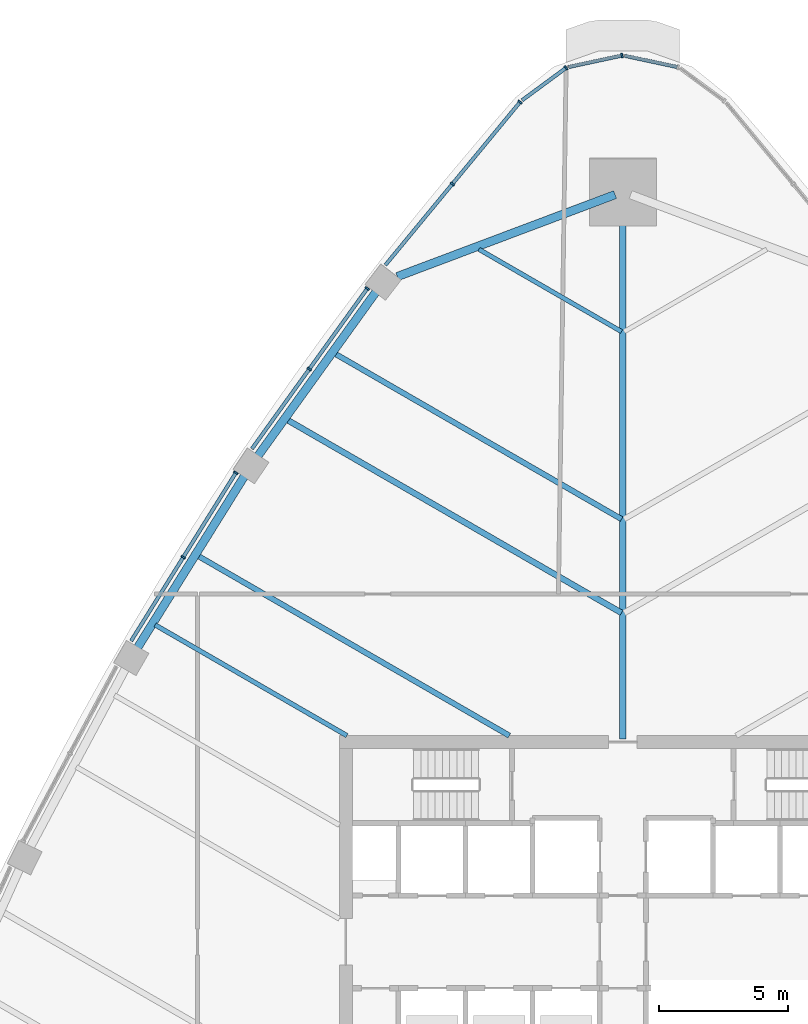
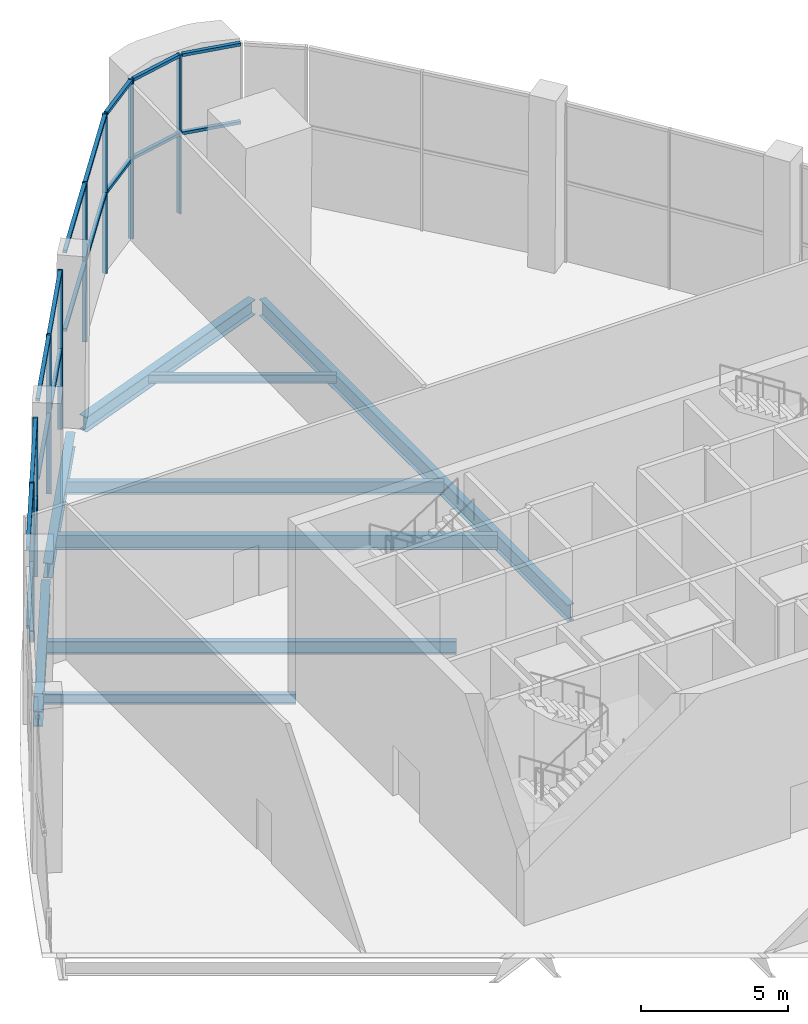
# One storey, part 6 of 15: 26 members, 9 beams, 6 elements without a shape of their own.
"""IFC4 building model written with IfcOpenShell, lengths in metres."""

from ifc_helpers import new_model, si_unit, direction, frame, origin, origin_2d, place, context, subcontext, project, spatial, rectangle, i_section, extrude, material, layer, layer_set, material_profile, profile_set, type_object, element, aggregate, save


model = new_model("IFC4")

# Units and contexts
model_context = context("Model", 3, precision=1e-05, world=origin(), true_north=direction((0.0, 1.0)))
body_context = subcontext(model_context, "Body", "Model", "MODEL_VIEW")
ifc_project = project(units=[si_unit("LENGTHUNIT", "METRE"), si_unit("AREAUNIT", "SQUARE_METRE"), si_unit("VOLUMEUNIT", "CUBIC_METRE"), si_unit("PLANEANGLEUNIT", "RADIAN"), si_unit("MASSUNIT", "GRAM", prefix="KILO")], contexts=[model_context])

# Site, building, storey
site_placement = place(None, origin())
site = spatial("IfcSite", under=ifc_project, at=site_placement, CompositionType="ELEMENT")
building_placement = place(site_placement, origin())
building = spatial("IfcBuilding", under=site, at=building_placement, Name="Sierra Prisma Convention Tower", CompositionType="ELEMENT")
storey_placement = place(building_placement, frame((0.0, 0.0, 118.60009765625)))
storey = spatial("IfcBuildingStorey", under=building, at=storey_placement, Name="L25", CompositionType="ELEMENT", Elevation=118.60009765625)

# Curtain wall, member
ifc_material_1 = material(Name="Aluminium and glass curtain wall", Category="aluminium")
ifc_layer = layer(ifc_material_1, 0.179931640625)
ifc_layer_set = layer_set([ifc_layer], Name="CW-4 Sky lobby double-height curtain wall")
curtain_wall_type = type_object("IfcCurtainWallType", Name="CW-4 Sky lobby double-height curtain wall", PredefinedType="NOTDEFINED", material=ifc_layer_set)
curtain_wall_1_placement = place(storey_placement, origin())
curtain_wall_1 = element("IfcCurtainWall", 1, at=curtain_wall_1_placement, inside=storey, type_object=curtain_wall_type, Name="CW-4 N3 L25", PredefinedType="NOTDEFINED")
ifc_material_2 = material(Name="Aluminium 6063-T6 bronze anodised", Category="aluminium")
ifc_material_profile_1 = material_profile(ifc_material_2, rectangle(XDim=0.179931640625, YDim=0.070068359375, at=origin_2d()), Name="ALU MULLION 70x180")
ifc_profile_set_1 = profile_set([ifc_material_profile_1], Name="Aluminium 6063-T6 bronze anodised")
member_type_1 = type_object("IfcMemberType", Name="CW mullion bronze", PredefinedType="MULLION", material=ifc_profile_set_1)
member_1_placement = place(storey_placement, frame((-0.0341796875, 34.393798828125, 0.0), z_axis=(0.0, 0.0, 1.0), x_axis=(0.210119495621, -0.97767571186, 0.0)))
member_1 = element("IfcMember", 2, at=member_1_placement, type_object=member_type_1, Name="CW-4 mullion N3.1", PredefinedType="MULLION", context=body_context, shape_type="SweptSolid", body=[
    extrude(rectangle(XDim=0.179931640625, YDim=0.070068359375, at=origin_2d()), origin(), (0.0, 0.0, 1.0), 6.599853515625),
])

curtain_wall_2_placement = place(storey_placement, origin())
curtain_wall_2 = element("IfcCurtainWall", 3, at=curtain_wall_2_placement, inside=storey, type_object=curtain_wall_type, Name="CW-4 N4 L25", PredefinedType="NOTDEFINED")
member_2_placement = place(storey_placement, frame((-2.202880859375, 33.912841796875, 0.0), z_axis=(0.0, 0.0, 1.0), x_axis=(0.593251213789, -0.805017389463, 0.0)))
member_2 = element("IfcMember", 4, at=member_2_placement, type_object=member_type_1, Name="CW-4 mullion N4.1", PredefinedType="MULLION", context=body_context, shape_type="SweptSolid", body=[
    extrude(rectangle(XDim=0.179931640625, YDim=0.070068359375, at=origin_2d()), origin(), (0.0, 0.0, 1.0), 6.599853515625),
])

# Curtain wall, members
curtain_wall_3_placement = place(storey_placement, origin())
curtain_wall_3 = element("IfcCurtainWall", 5, at=curtain_wall_3_placement, inside=storey, type_object=curtain_wall_type, Name="CW-4 NW1 L25", PredefinedType="NOTDEFINED")
member_3_placement = place(storey_placement, frame((-3.987548828125, 32.587158203125, 0.0), z_axis=(0.0, 0.0, 1.0), x_axis=(0.770860050907, -0.637004538379, 0.0)))
member_3 = element("IfcMember", 6, at=member_3_placement, type_object=member_type_1, Name="CW-4 mullion NW1.1", PredefinedType="MULLION", context=body_context, shape_type="SweptSolid", body=[
    extrude(rectangle(XDim=0.179931640625, YDim=0.070068359375, at=origin_2d()), origin(), (0.0, 0.0, 1.0), 6.599853515625),
])
member_4_placement = place(storey_placement, frame((-6.6123046875, 29.41064453125, 0.0), z_axis=(0.0, 0.0, 1.0), x_axis=(0.770860050907, -0.637004538379, 0.0)))
member_4 = element("IfcMember", 7, at=member_4_placement, type_object=member_type_1, Name="CW-4 mullion NW1.2", PredefinedType="MULLION", context=body_context, shape_type="SweptSolid", body=[
    extrude(rectangle(XDim=0.179931640625, YDim=0.070068359375, at=origin_2d()), origin(), (0.0, 0.0, 1.0), 6.599853515625),
])

curtain_wall_4_placement = place(storey_placement, origin())
curtain_wall_4 = element("IfcCurtainWall", 8, at=curtain_wall_4_placement, inside=storey, type_object=curtain_wall_type, Name="CW-4 NW2 L25", PredefinedType="NOTDEFINED")
member_5_placement = place(storey_placement, frame((-9.916748046875, 25.35107421875, 0.0), z_axis=(0.0, 0.0, 1.0), x_axis=(0.811662790849, -0.584126282538, 0.0)))
member_5 = element("IfcMember", 9, at=member_5_placement, type_object=member_type_1, Name="CW-4 mullion NW2.1", PredefinedType="MULLION", context=body_context, shape_type="SweptSolid", body=[
    extrude(rectangle(XDim=0.179931640625, YDim=0.070068359375, at=origin_2d()), origin(), (0.0, 0.0, 1.0), 6.599853515625),
])
member_6_placement = place(storey_placement, frame((-12.16455078125, 22.227783203125, 0.0), z_axis=(0.0, 0.0, 1.0), x_axis=(0.811662790849, -0.584126282538, 0.0)))
member_6 = element("IfcMember", 10, at=member_6_placement, type_object=member_type_1, Name="CW-4 mullion NW2.2", PredefinedType="MULLION", context=body_context, shape_type="SweptSolid", body=[
    extrude(rectangle(XDim=0.179931640625, YDim=0.070068359375, at=origin_2d()), origin(), (0.0, 0.0, 1.0), 6.599853515625),
])

curtain_wall_5_placement = place(storey_placement, origin())
curtain_wall_5 = element("IfcCurtainWall", 11, at=curtain_wall_5_placement, inside=storey, type_object=curtain_wall_type, Name="CW-4 NW3 L25", PredefinedType="NOTDEFINED")
member_7_placement = place(storey_placement, frame((-15.014404296875, 18.205078125, 0.0), z_axis=(0.0, 0.0, 1.0), x_axis=(0.848844724577, -0.528642254798, 0.0)))
member_7 = element("IfcMember", 12, at=member_7_placement, type_object=member_type_1, Name="CW-4 mullion NW3.1", PredefinedType="MULLION", context=body_context, shape_type="SweptSolid", body=[
    extrude(rectangle(XDim=0.179931640625, YDim=0.070068359375, at=origin_2d()), origin(), (0.0, 0.0, 1.0), 6.599853515625),
])
member_8_placement = place(storey_placement, frame((-17.057373046875, 14.925048828125, 0.0), z_axis=(0.0, 0.0, 1.0), x_axis=(0.848844724577, -0.528642254798, 0.0)))
member_8 = element("IfcMember", 13, at=member_8_placement, type_object=member_type_1, Name="CW-4 mullion NW3.2", PredefinedType="MULLION", context=body_context, shape_type="SweptSolid", body=[
    extrude(rectangle(XDim=0.179931640625, YDim=0.070068359375, at=origin_2d()), origin(), (0.0, 0.0, 1.0), 6.599853515625),
])

curtain_wall_6_placement = place(storey_placement, origin())
curtain_wall_6 = element("IfcCurtainWall", 14, at=curtain_wall_6_placement, inside=storey, type_object=curtain_wall_type, Name="CW-4 N2 L25", PredefinedType="NOTDEFINED")
ifc_material_3 = material(Name="Aluminium 6063-T6 bronze anodised", Category="aluminium")
ifc_material_profile_2 = material_profile(ifc_material_3, rectangle(XDim=0.139892578125, YDim=0.1201171875, at=origin_2d()), Name="ALU TRANSOM 120x140")
ifc_profile_set_2 = profile_set([ifc_material_profile_2], Name="Aluminium 6063-T6 bronze anodised")
member_type_2 = type_object("IfcMemberType", Name="CW transom bronze", PredefinedType="USERDEFINED", material=ifc_profile_set_2)
member_9_placement = place(storey_placement, frame((2.106201171875, 33.948486328125, 6.539794921875), z_axis=(-0.977697730918, 0.210017015878, 0.0), x_axis=(-0.210017015878, -0.977697730918, 0.0)))
member_9 = element("IfcMember", 15, at=member_9_placement, type_object=member_type_2, Name="CW-4 transom N2.1", ObjectType="TRANSOM", PredefinedType="USERDEFINED", context=body_context, shape_type="SweptSolid", body=[
    extrude(rectangle(XDim=0.139892578125, YDim=0.1201171875, at=origin_2d()), origin(), (0.0, 0.0, 1.0), 2.084228515625),
])
member_10_placement = place(storey_placement, frame((2.106201171875, 33.948486328125, 3.2998046875), z_axis=(-0.977697730918, 0.210017015878, 0.0), x_axis=(-0.210017015878, -0.977697730918, 0.0)))
member_10 = element("IfcMember", 16, at=member_10_placement, type_object=member_type_2, Name="CW-4 transom N2.1 mid", ObjectType="TRANSOM", PredefinedType="USERDEFINED", context=body_context, shape_type="SweptSolid", body=[
    extrude(rectangle(XDim=0.139892578125, YDim=0.1201171875, at=origin_2d()), origin(), (0.0, 0.0, 1.0), 2.084228515625),
])
aggregate(curtain_wall_6, [member_9, member_10])

# Member
member_11_placement = place(storey_placement, frame((-0.068359375, 34.38623046875, 6.539794921875), z_axis=(-0.977697730918, -0.210017015878, 0.0), x_axis=(0.210017015878, -0.977697730918, 0.0)))
member_11 = element("IfcMember", 17, at=member_11_placement, type_object=member_type_2, Name="CW-4 transom N3.1", ObjectType="TRANSOM", PredefinedType="USERDEFINED", context=body_context, shape_type="SweptSolid", body=[
    extrude(rectangle(XDim=0.139892578125, YDim=0.1201171875, at=origin_2d()), origin(), (0.0, 0.0, 1.0), 2.084228515625),
])

member_12_placement = place(storey_placement, frame((-0.068359375, 34.38623046875, 3.2998046875), z_axis=(-0.977697730918, -0.210017015878, 0.0), x_axis=(0.210017015878, -0.977697730918, 0.0)))
member_12 = element("IfcMember", 18, at=member_12_placement, type_object=member_type_2, Name="CW-4 transom N3.1 mid", ObjectType="TRANSOM", PredefinedType="USERDEFINED", context=body_context, shape_type="SweptSolid", body=[
    extrude(rectangle(XDim=0.139892578125, YDim=0.1201171875, at=origin_2d()), origin(), (0.0, 0.0, 1.0), 2.084228515625),
])

aggregate(curtain_wall_1, [member_1, member_11, member_12])

member_13_placement = place(storey_placement, frame((-2.23095703125, 33.89208984375, 6.539794921875), z_axis=(-0.805073501982, -0.593175063878, 0.0), x_axis=(0.593175063878, -0.805073501982, 0.0)))
member_13 = element("IfcMember", 19, at=member_13_placement, type_object=member_type_2, Name="CW-4 transom N4.1", ObjectType="TRANSOM", PredefinedType="USERDEFINED", context=body_context, shape_type="SweptSolid", body=[
    extrude(rectangle(XDim=0.139892578125, YDim=0.1201171875, at=origin_2d()), origin(), (0.0, 0.0, 1.0), 2.084228515625),
])

member_14_placement = place(storey_placement, frame((-2.23095703125, 33.89208984375, 3.2998046875), z_axis=(-0.805073501982, -0.593175063878, 0.0), x_axis=(0.593175063878, -0.805073501982, 0.0)))
member_14 = element("IfcMember", 20, at=member_14_placement, type_object=member_type_2, Name="CW-4 transom N4.1 mid", ObjectType="TRANSOM", PredefinedType="USERDEFINED", context=body_context, shape_type="SweptSolid", body=[
    extrude(rectangle(XDim=0.139892578125, YDim=0.1201171875, at=origin_2d()), origin(), (0.0, 0.0, 1.0), 2.084228515625),
])

aggregate(curtain_wall_2, [member_2, member_13, member_14])

member_15_placement = place(storey_placement, frame((-4.009765625, 32.56005859375, 6.539794921875), z_axis=(-0.637030967557, -0.770838210245, 0.0), x_axis=(0.770838210245, -0.637030967557, 0.0)))
member_15 = element("IfcMember", 21, at=member_15_placement, type_object=member_type_2, Name="CW-4 transom NW1.1", ObjectType="TRANSOM", PredefinedType="USERDEFINED", context=body_context, shape_type="SweptSolid", body=[
    extrude(rectangle(XDim=0.139892578125, YDim=0.1201171875, at=origin_2d()), origin(), (0.0, 0.0, 1.0), 4.050537109375),
])

member_16_placement = place(storey_placement, frame((-4.009765625, 32.56005859375, 3.2998046875), z_axis=(-0.637030967557, -0.770838210245, 0.0), x_axis=(0.770838210245, -0.637030967557, 0.0)))
member_16 = element("IfcMember", 22, at=member_16_placement, type_object=member_type_2, Name="CW-4 transom NW1.1 mid", ObjectType="TRANSOM", PredefinedType="USERDEFINED", context=body_context, shape_type="SweptSolid", body=[
    extrude(rectangle(XDim=0.139892578125, YDim=0.1201171875, at=origin_2d()), origin(), (0.0, 0.0, 1.0), 4.050537109375),
])

member_17_placement = place(storey_placement, frame((-6.634521484375, 29.3837890625, 6.539794921875), z_axis=(-0.637001371276, -0.77086266805, 0.0), x_axis=(0.77086266805, -0.637001371276, 0.0)))
member_17 = element("IfcMember", 23, at=member_17_placement, type_object=member_type_2, Name="CW-4 transom NW1.2", ObjectType="TRANSOM", PredefinedType="USERDEFINED", context=body_context, shape_type="SweptSolid", body=[
    extrude(rectangle(XDim=0.139892578125, YDim=0.1201171875, at=origin_2d()), origin(), (0.0, 0.0, 1.0), 4.05078125),
])

member_18_placement = place(storey_placement, frame((-6.634521484375, 29.3837890625, 3.2998046875), z_axis=(-0.637001371276, -0.77086266805, 0.0), x_axis=(0.77086266805, -0.637001371276, 0.0)))
member_18 = element("IfcMember", 24, at=member_18_placement, type_object=member_type_2, Name="CW-4 transom NW1.2 mid", ObjectType="TRANSOM", PredefinedType="USERDEFINED", context=body_context, shape_type="SweptSolid", body=[
    extrude(rectangle(XDim=0.139892578125, YDim=0.1201171875, at=origin_2d()), origin(), (0.0, 0.0, 1.0), 4.05078125),
])

aggregate(curtain_wall_3, [member_3, member_4, member_15, member_16, member_17, member_18])

member_19_placement = place(storey_placement, frame((-9.937255859375, 25.32275390625, 6.539794921875), z_axis=(-0.584095322996, -0.811685070489, 0.0), x_axis=(0.811685070489, -0.584095322996, 0.0)))
member_19 = element("IfcMember", 25, at=member_19_placement, type_object=member_type_2, Name="CW-4 transom NW2.1", ObjectType="TRANSOM", PredefinedType="USERDEFINED", context=body_context, shape_type="SweptSolid", body=[
    extrude(rectangle(XDim=0.139892578125, YDim=0.1201171875, at=origin_2d()), origin(), (0.0, 0.0, 1.0), 3.778076171875),
])

member_20_placement = place(storey_placement, frame((-9.937255859375, 25.32275390625, 3.2998046875), z_axis=(-0.584095322996, -0.811685070489, 0.0), x_axis=(0.811685070489, -0.584095322996, 0.0)))
member_20 = element("IfcMember", 26, at=member_20_placement, type_object=member_type_2, Name="CW-4 transom NW2.1 mid", ObjectType="TRANSOM", PredefinedType="USERDEFINED", context=body_context, shape_type="SweptSolid", body=[
    extrude(rectangle(XDim=0.139892578125, YDim=0.1201171875, at=origin_2d()), origin(), (0.0, 0.0, 1.0), 3.778076171875),
])

member_21_placement = place(storey_placement, frame((-12.18505859375, 22.19921875, 6.539794921875), z_axis=(-0.584125960368, -0.811663022704, 0.0), x_axis=(0.811663022704, -0.584125960368, 0.0)))
member_21 = element("IfcMember", 27, at=member_21_placement, type_object=member_type_2, Name="CW-4 transom NW2.2", ObjectType="TRANSOM", PredefinedType="USERDEFINED", context=body_context, shape_type="SweptSolid", body=[
    extrude(rectangle(XDim=0.139892578125, YDim=0.1201171875, at=origin_2d()), origin(), (0.0, 0.0, 1.0), 3.77783203125),
])

member_22_placement = place(storey_placement, frame((-12.18505859375, 22.19921875, 3.2998046875), z_axis=(-0.584125960368, -0.811663022704, 0.0), x_axis=(0.811663022704, -0.584125960368, 0.0)))
member_22 = element("IfcMember", 28, at=member_22_placement, type_object=member_type_2, Name="CW-4 transom NW2.2 mid", ObjectType="TRANSOM", PredefinedType="USERDEFINED", context=body_context, shape_type="SweptSolid", body=[
    extrude(rectangle(XDim=0.139892578125, YDim=0.1201171875, at=origin_2d()), origin(), (0.0, 0.0, 1.0), 3.77783203125),
])

aggregate(curtain_wall_4, [member_5, member_6, member_19, member_20, member_21, member_22])

member_23_placement = place(storey_placement, frame((-15.032958984375, 18.175537109375, 6.539794921875), z_axis=(-0.528627562522, -0.848853874434, 0.0), x_axis=(0.848853874434, -0.528627562522, 0.0)))
member_23 = element("IfcMember", 29, at=member_23_placement, type_object=member_type_2, Name="CW-4 transom NW3.1", ObjectType="TRANSOM", PredefinedType="USERDEFINED", context=body_context, shape_type="SweptSolid", body=[
    extrude(rectangle(XDim=0.139892578125, YDim=0.1201171875, at=origin_2d()), origin(), (0.0, 0.0, 1.0), 3.79443359375),
])

member_24_placement = place(storey_placement, frame((-15.032958984375, 18.175537109375, 3.2998046875), z_axis=(-0.528627562522, -0.848853874434, 0.0), x_axis=(0.848853874434, -0.528627562522, 0.0)))
member_24 = element("IfcMember", 30, at=member_24_placement, type_object=member_type_2, Name="CW-4 transom NW3.1 mid", ObjectType="TRANSOM", PredefinedType="USERDEFINED", context=body_context, shape_type="SweptSolid", body=[
    extrude(rectangle(XDim=0.139892578125, YDim=0.1201171875, at=origin_2d()), origin(), (0.0, 0.0, 1.0), 3.79443359375),
])

member_25_placement = place(storey_placement, frame((-17.07568359375, 14.895263671875, 6.539794921875), z_axis=(-0.528656435477, -0.84883589299, 0.0), x_axis=(0.84883589299, -0.528656435477, 0.0)))
member_25 = element("IfcMember", 31, at=member_25_placement, type_object=member_type_2, Name="CW-4 transom NW3.2", ObjectType="TRANSOM", PredefinedType="USERDEFINED", context=body_context, shape_type="SweptSolid", body=[
    extrude(rectangle(XDim=0.139892578125, YDim=0.1201171875, at=origin_2d()), origin(), (0.0, 0.0, 1.0), 3.794189453125),
])

member_26_placement = place(storey_placement, frame((-17.07568359375, 14.895263671875, 3.2998046875), z_axis=(-0.528656435477, -0.84883589299, 0.0), x_axis=(0.84883589299, -0.528656435477, 0.0)))
member_26 = element("IfcMember", 32, at=member_26_placement, type_object=member_type_2, Name="CW-4 transom NW3.2 mid", ObjectType="TRANSOM", PredefinedType="USERDEFINED", context=body_context, shape_type="SweptSolid", body=[
    extrude(rectangle(XDim=0.139892578125, YDim=0.1201171875, at=origin_2d()), origin(), (0.0, 0.0, 1.0), 3.794189453125),
])

aggregate(curtain_wall_5, [member_7, member_8, member_23, member_24, member_25, member_26])

# Beams
ifc_material_4 = material(Name="Steel ASTM A992 Gr 50", Category="steel")
ifc_material_profile_3 = material_profile(ifc_material_4, i_section(OverallWidth=0.172119140625, OverallDepth=0.35791015625, WebThickness=0.0078125, FlangeThickness=0.01318359375, at=origin_2d()), Name="W360x57")
ifc_profile_set_3 = profile_set([ifc_material_profile_3], Name="Steel ASTM A992 Gr 50")
beam_type_1 = type_object("IfcBeamType", Name="Floor joist W360x57", PredefinedType="JOIST", material=ifc_profile_set_3)
beam_1_placement = place(storey_placement, frame((-5.584228515625, 26.87451171875, -0.3291015625), z_axis=(0.866019511163, -0.500010206181, 0.0), x_axis=(0.500010206181, 0.866019511163, 0.0)))
element("IfcBeam", 33, at=beam_1_placement, inside=storey, type_object=beam_type_1, Name="Floor joist L25 NW02", PredefinedType="JOIST", context=body_context, shape_type="SweptSolid", body=[
    extrude(i_section(OverallWidth=0.172119140625, OverallDepth=0.35791015625, WebThickness=0.0078125, FlangeThickness=0.01318359375, at=origin_2d()), origin(), (0.0, 0.0, 1.0), 6.389404296875),
])
ifc_material_5 = material(Name="Steel ASTM A992 Gr 50", Category="steel")
ifc_material_profile_4 = material_profile(ifc_material_5, i_section(OverallWidth=0.177978515625, OverallDepth=0.406982421875, WebThickness=0.0078125, FlangeThickness=0.0126953125, at=origin_2d()), Name="W410x60")
ifc_profile_set_4 = profile_set([ifc_material_profile_4], Name="Steel ASTM A992 Gr 50")
beam_type_2 = type_object("IfcBeamType", Name="Floor joist W410x60", PredefinedType="JOIST", material=ifc_profile_set_4)
beam_2_placement = place(storey_placement, frame((-18.14892578125, 12.297607421875, -0.353515625), z_axis=(0.866023341858, -0.500003571345, 0.0), x_axis=(0.500003571345, 0.866023341858, 0.0)))
element("IfcBeam", 34, at=beam_2_placement, inside=storey, type_object=beam_type_2, Name="Floor joist L25 NW08", PredefinedType="JOIST", context=body_context, shape_type="SweptSolid", body=[
    extrude(i_section(OverallWidth=0.177978515625, OverallDepth=0.406982421875, WebThickness=0.0078125, FlangeThickness=0.0126953125, at=origin_2d()), origin(), (0.0, 0.0, 1.0), 8.59521484375),
])
ifc_material_6 = material(Name="Steel ASTM A992 Gr 50", Category="steel")
ifc_material_profile_5 = material_profile(ifc_material_6, i_section(OverallWidth=0.208984375, OverallDepth=0.532958984375, WebThickness=0.01025390625, FlangeThickness=0.015625, at=origin_2d()), Name="W530x92")
ifc_profile_set_5 = profile_set([ifc_material_profile_5], Name="Steel ASTM A992 Gr 50")
beam_type_3 = type_object("IfcBeamType", Name="Floor joist W530x92", PredefinedType="JOIST", material=ifc_profile_set_5)
beam_3_placement = place(storey_placement, frame((-11.167724609375, 22.821044921875, -0.41650390625), z_axis=(0.866022476149, -0.50000507078, 0.0), x_axis=(0.50000507078, 0.866022476149, 0.0)))
element("IfcBeam", 35, at=beam_3_placement, inside=storey, type_object=beam_type_3, Name="Floor joist L25 NW04", PredefinedType="JOIST", context=body_context, shape_type="SweptSolid", body=[
    extrude(i_section(OverallWidth=0.208984375, OverallDepth=0.532958984375, WebThickness=0.01025390625, FlangeThickness=0.015625, at=origin_2d()), origin(), (0.0, 0.0, 1.0), 12.836669921875),
])
beam_4_placement = place(storey_placement, frame((-16.482177734375, 14.973876953125, -0.41650390625), z_axis=(0.866020890646, -0.500007816904, 0.0), x_axis=(0.500007816904, 0.866020890646, 0.0)))
element("IfcBeam", 36, at=beam_4_placement, inside=storey, type_object=beam_type_3, Name="Floor joist L25 NW07", PredefinedType="JOIST", context=body_context, shape_type="SweptSolid", body=[
    extrude(i_section(OverallWidth=0.208984375, OverallDepth=0.532958984375, WebThickness=0.01025390625, FlangeThickness=0.015625, at=origin_2d()), origin(), (0.0, 0.0, 1.0), 13.947509765625),
])
ifc_material_7 = material(Name="Steel ASTM A992 Gr 50", Category="steel")
ifc_material_profile_6 = material_profile(ifc_material_7, i_section(OverallWidth=0.22802734375, OverallDepth=0.60302734375, WebThickness=0.010498046875, FlangeThickness=0.014892578125, at=origin_2d()), Name="W610x101")
ifc_profile_set_6 = profile_set([ifc_material_profile_6], Name="Steel ASTM A992 Gr 50")
beam_type_4 = type_object("IfcBeamType", Name="Floor joist W610x101", PredefinedType="JOIST", material=ifc_profile_set_6)
beam_5_placement = place(storey_placement, frame((-13.017578125, 20.25048828125, -0.45166015625), z_axis=(0.866027010039, -0.499997217876, 0.0), x_axis=(0.499997217876, 0.866027010039, 0.0)))
element("IfcBeam", 37, at=beam_5_placement, inside=storey, type_object=beam_type_4, Name="Floor joist L25 NW05", PredefinedType="JOIST", context=body_context, shape_type="SweptSolid", body=[
    extrude(i_section(OverallWidth=0.22802734375, OverallDepth=0.60302734375, WebThickness=0.010498046875, FlangeThickness=0.014892578125, at=origin_2d()), origin(), (0.0, 0.0, 1.0), 14.97265625),
])
ifc_material_8 = material(Name="Steel ASTM A992 Gr 50", Category="steel")
ifc_material_profile_7 = material_profile(ifc_material_8, i_section(OverallWidth=0.25390625, OverallDepth=0.68408203125, WebThickness=0.012451171875, FlangeThickness=0.018798828125, at=origin_2d()), Name="W690x140")
ifc_profile_set_7 = profile_set([ifc_material_profile_7], Name="Steel ASTM A992 Gr 50")
beam_type_5 = type_object("IfcBeamType", Name="Radial girder W690x140", PredefinedType="BEAM", material=ifc_profile_set_7)
beam_6_placement = place(storey_placement, frame((0.0, 28.80810546875, -0.4921875), z_axis=(0.0, -1.0, 0.0), x_axis=(1.0, 0.0, 0.0)))
element("IfcBeam", 38, at=beam_6_placement, inside=storey, type_object=beam_type_5, Name="Radial girder L25 N", PredefinedType="BEAM", context=body_context, shape_type="SweptSolid", body=[
    extrude(i_section(OverallWidth=0.25390625, OverallDepth=0.68408203125, WebThickness=0.012451171875, FlangeThickness=0.018798828125, at=origin_2d()), origin(), (0.0, 0.0, 1.0), 20.92822265625),
])
ifc_material_9 = material(Name="Steel ASTM A992 Gr 50", Category="steel")
ifc_material_profile_8 = material_profile(ifc_material_9, i_section(OverallWidth=0.324951171875, OverallDepth=0.615966796875, WebThickness=0.013916015625, FlangeThickness=0.021484375, at=origin_2d()), Name="W610x174")
ifc_profile_set_8 = profile_set([ifc_material_profile_8], Name="Steel ASTM A992 Gr 50")
beam_type_6 = type_object("IfcBeamType", Name="Spandrel beam W610x174", PredefinedType="BEAM", material=ifc_profile_set_8)
beam_7_placement = place(storey_placement, frame((-0.300048828125, 28.995361328125, -0.4580078125), z_axis=(-0.935916392655, -0.352222239445, 0.0), x_axis=(0.352222239445, -0.935916392655, 0.0)))
element("IfcBeam", 39, at=beam_7_placement, inside=storey, type_object=beam_type_6, Name="Spandrel L25-13", PredefinedType="BEAM", context=body_context, shape_type="SweptSolid", body=[
    extrude(i_section(OverallWidth=0.324951171875, OverallDepth=0.615966796875, WebThickness=0.013916015625, FlangeThickness=0.021484375, at=origin_2d()), origin(), (0.0, 0.0, 1.0), 9.03173828125),
])
beam_8_placement = place(storey_placement, frame((-9.58154296875, 25.21826171875, -0.4580078125), z_axis=(-0.584123116899, -0.811665069042, 0.0), x_axis=(0.811665069042, -0.584123116899, 0.0)))
element("IfcBeam", 40, at=beam_8_placement, inside=storey, type_object=beam_type_6, Name="Spandrel L25-14", PredefinedType="BEAM", context=body_context, shape_type="SweptSolid", body=[
    extrude(i_section(OverallWidth=0.324951171875, OverallDepth=0.615966796875, WebThickness=0.013916015625, FlangeThickness=0.021484375, at=origin_2d()), origin(), (0.0, 0.0, 1.0), 7.8271484375),
])
beam_9_placement = place(storey_placement, frame((-14.68798828125, 18.067626953125, -0.4580078125), z_axis=(-0.528644115312, -0.848843565886, 0.0), x_axis=(0.848843565886, -0.528644115312, 0.0)))
element("IfcBeam", 41, at=beam_9_placement, inside=storey, type_object=beam_type_6, Name="Spandrel L25-15", PredefinedType="BEAM", context=body_context, shape_type="SweptSolid", body=[
    extrude(i_section(OverallWidth=0.324951171875, OverallDepth=0.615966796875, WebThickness=0.013916015625, FlangeThickness=0.021484375, at=origin_2d()), origin(), (0.0, 0.0, 1.0), 7.827392578125),
])

save(model, "model.ifc")
